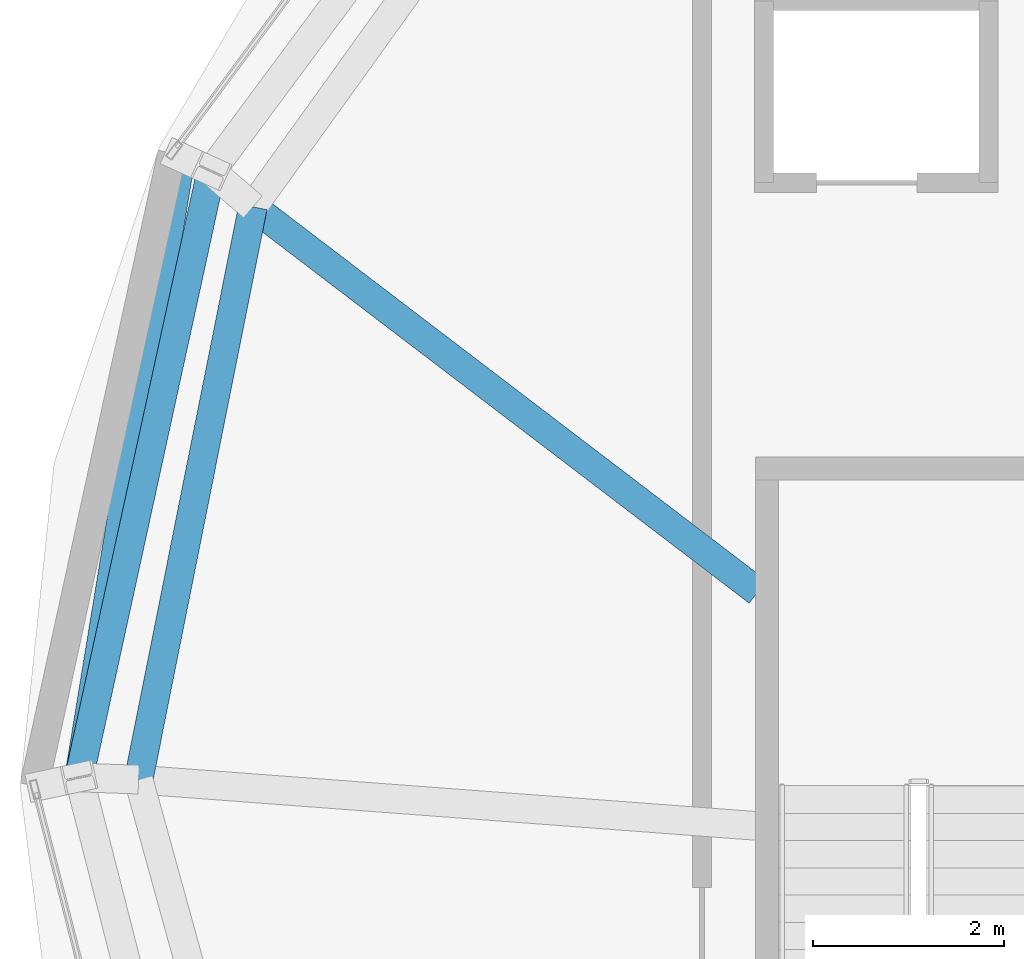
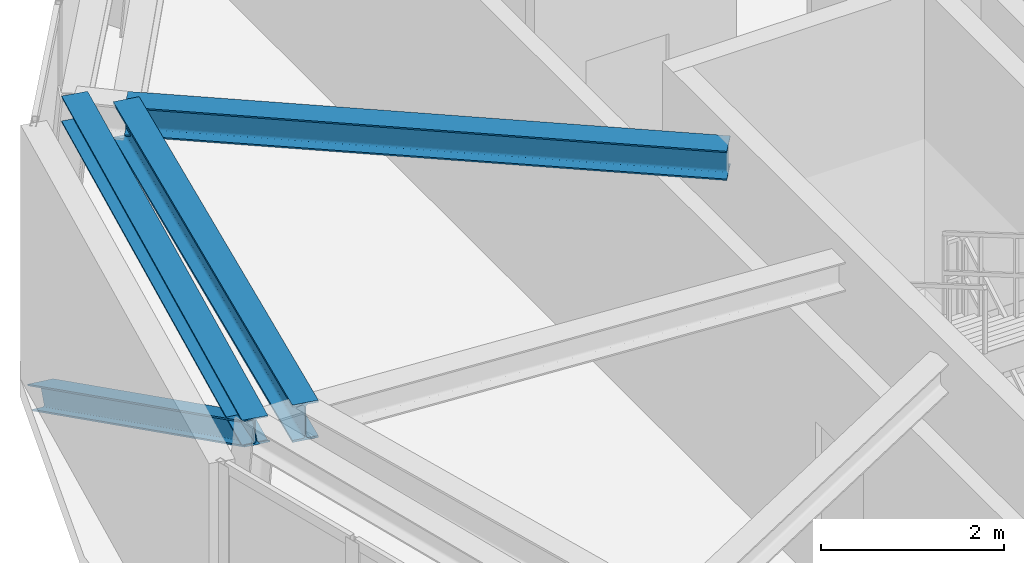
# One storey, part 3 of 9: 3 beams, 1 member.
"""IFC4 building model written with IfcOpenShell, lengths in metres."""

from ifc_helpers import new_model, si_unit, direction, frame, origin, origin_2d, place, context, subcontext, project, spatial, i_section, extrude, material, material_profile, profile_set, type_object, element, save


model = new_model("IFC4")

# Units and contexts
model_context = context("Model", 3, precision=1e-05, world=origin(), true_north=direction((0.0, 1.0)))
body_context = subcontext(model_context, "Body", "Model", "MODEL_VIEW")
ifc_project = project(units=[si_unit("LENGTHUNIT", "METRE"), si_unit("AREAUNIT", "SQUARE_METRE"), si_unit("VOLUMEUNIT", "CUBIC_METRE"), si_unit("PLANEANGLEUNIT", "RADIAN"), si_unit("MASSUNIT", "GRAM", prefix="KILO"), si_unit("THERMODYNAMICTEMPERATUREUNIT", "KELVIN"), si_unit("POWERUNIT", "WATT")], contexts=[model_context])

# Site, building, storey
site_placement = place(None, origin())
site = spatial("IfcSite", under=ifc_project, at=site_placement, CompositionType="ELEMENT")
building_placement = place(site_placement, origin())
building = spatial("IfcBuilding", under=site, at=building_placement, Name="Ocrelia Relay Tower", CompositionType="ELEMENT")
storey_placement = place(building_placement, frame((0.0, 0.0, 300.0)))
storey = spatial("IfcBuildingStorey", under=building, at=storey_placement, Name="L75", CompositionType="ELEMENT", Elevation=300.0)

# Beams
ifc_material = material(Name="Steel S355", Category="steel")
ifc_material_profile_1 = material_profile(ifc_material, i_section(OverallWidth=0.300048828125, OverallDepth=0.35009765625, WebThickness=0.010009765625, FlangeThickness=0.017578125, FilletRadius=0.027099609375, at=origin_2d()), Name="HEA 360")
ifc_profile_set_1 = profile_set([ifc_material_profile_1], Name="Steel S355")
beam_type_1 = type_object("IfcBeamType", Name="BM-HEA360", PredefinedType="SPANDREL", material=ifc_profile_set_1)
beam_1_placement = place(storey_placement, frame((24.714599609375, 30.2216796875, 3.574951171875), z_axis=(-0.213116192428, -0.977026861721, 0.0), x_axis=(0.977026861721, -0.213116192428, 0.0)))
element("IfcBeam", 1, at=beam_1_placement, inside=storey, type_object=beam_type_1, Name="L75 Crown Faceted Ring Beam R04", PredefinedType="SPANDREL", context=body_context, shape_type="SweptSolid", body=[
    extrude(i_section(OverallWidth=0.300048828125, OverallDepth=0.35009765625, WebThickness=0.010009765625, FlangeThickness=0.017578125, FilletRadius=0.027099609375, at=origin_2d()), origin(), (0.0, 0.0, 1.0), 6.495361328125),
])
ifc_material_profile_2 = material_profile(ifc_material, i_section(OverallWidth=0.300048828125, OverallDepth=0.389892578125, WebThickness=0.010986328125, FlangeThickness=0.01904296875, FilletRadius=0.027099609375, at=origin_2d()), Name="HEA 400")
ifc_profile_set_2 = profile_set([ifc_material_profile_2], Name="Steel S355")
beam_type_2 = type_object("IfcBeamType", Name="BM-HEA400", PredefinedType="SPANDREL", material=ifc_profile_set_2)
beam_2_placement = place(storey_placement, frame((25.150390625, 29.847900390625, 3.554931640625), z_axis=(0.795204813239, -0.606340914834, 0.0), x_axis=(0.606340914834, 0.795204813239, 0.0)))
element("IfcBeam", 2, at=beam_2_placement, inside=storey, type_object=beam_type_2, Name="L75 Crown Radial Floor Beam 04", PredefinedType="SPANDREL", context=body_context, shape_type="SweptSolid", body=[
    extrude(i_section(OverallWidth=0.300048828125, OverallDepth=0.389892578125, WebThickness=0.010986328125, FlangeThickness=0.01904296875, FilletRadius=0.027099609375, at=origin_2d()), origin(), (0.0, 0.0, 1.0), 6.645751953125),
])
ifc_material_profile_3 = material_profile(ifc_material, i_section(OverallWidth=0.300048828125, OverallDepth=0.5, WebThickness=0.014404296875, FlangeThickness=0.028076171875, FilletRadius=0.027099609375, at=origin_2d()), Name="HEB 500")
ifc_profile_set_3 = profile_set([ifc_material_profile_3], Name="Steel S355")
beam_type_3 = type_object("IfcBeamType", Name="BM-HEB500", PredefinedType="BEAM", material=ifc_profile_set_3)
beam_3_placement = place(storey_placement, frame((25.150390625, 29.847900390625, 3.5), z_axis=(-0.195770515466, -0.980649736284, 0.0), x_axis=(0.980649736284, -0.195770515466, 0.0)))
element("IfcBeam", 3, at=beam_3_placement, inside=storey, type_object=beam_type_3, Name="L75 Crown Step Perimeter Ring Beam SR04", PredefinedType="BEAM", context=body_context, shape_type="SweptSolid", body=[
    extrude(i_section(OverallWidth=0.300048828125, OverallDepth=0.5, WebThickness=0.014404296875, FlangeThickness=0.028076171875, FilletRadius=0.027099609375, at=origin_2d()), origin(), (0.0, 0.0, 1.0), 6.11328125),
])

# Member
ifc_material_profile_4 = material_profile(ifc_material, i_section(OverallWidth=0.300048828125, OverallDepth=0.300048828125, WebThickness=0.010986328125, FlangeThickness=0.01904296875, FilletRadius=0.027099609375, at=origin_2d()), Name="HEB 300")
ifc_profile_set_4 = profile_set([ifc_material_profile_4], Name="Steel S355")
member_type = type_object("IfcMemberType", Name="MB-CROWN-DIAG", PredefinedType="BRACE", material=ifc_profile_set_4)
member_placement = place(storey_placement, frame((24.39599609375, 30.36669921875, -0.25), z_axis=(-0.140048520143, -0.853060722463, 0.502666704484), x_axis=(0.986790242937, -0.162003137145, 0.0)))
element("IfcMember", 4, at=member_placement, inside=storey, type_object=member_type, Name="L75 Crown Bracing Diagonal CD04", PredefinedType="BRACE", context=body_context, shape_type="SweptSolid", body=[
    extrude(i_section(OverallWidth=0.300048828125, OverallDepth=0.300048828125, WebThickness=0.010986328125, FlangeThickness=0.01904296875, FilletRadius=0.027099609375, at=origin_2d()), origin(), (0.0, 0.0, 1.0), 7.609375),
])

save(model, "model.ifc")
